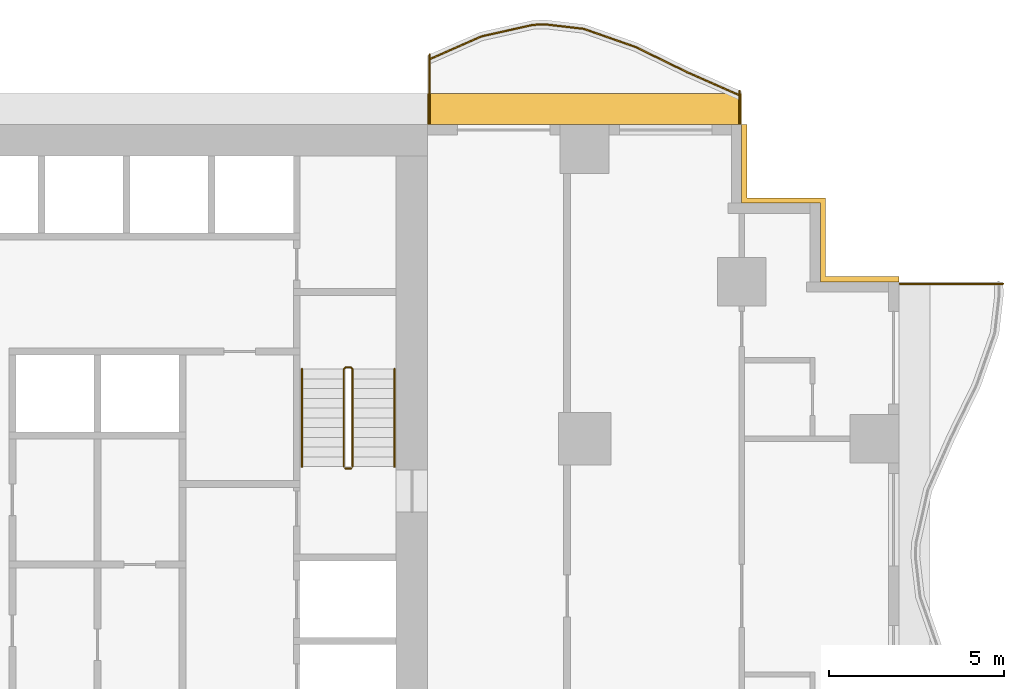
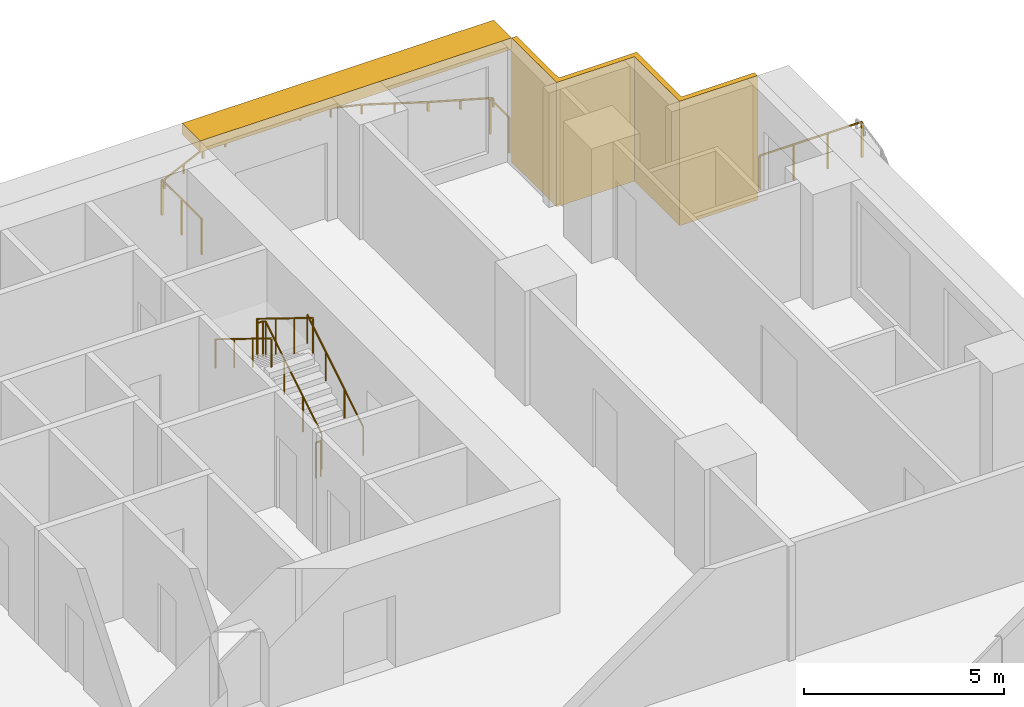
# One storey, part 14 of 14: 8 railings, 2 shading devices.
"""IFC4 building model written with IfcOpenShell, lengths in metres."""

from ifc_helpers import new_model, si_unit, direction, frame, origin, origin_2d, place, context, subcontext, project, spatial, polyline, rectangle, circle, outline, extrude, material, layer, layer_set, type_object, element, save


model = new_model("IFC4")

# Units and contexts
model_context = context("Model", 3, precision=1e-05, world=origin(), true_north=direction((0.0, 1.0)))
body_context = subcontext(model_context, "Body", "Model", "MODEL_VIEW")
ifc_project = project(units=[si_unit("LENGTHUNIT", "METRE"), si_unit("AREAUNIT", "SQUARE_METRE"), si_unit("VOLUMEUNIT", "CUBIC_METRE"), si_unit("PLANEANGLEUNIT", "RADIAN"), si_unit("MASSUNIT", "GRAM", prefix="KILO")], contexts=[model_context])

# Site, building, storey
site_placement = place(None, origin())
site = spatial("IfcSite", under=ifc_project, at=site_placement, CompositionType="ELEMENT")
building_placement = place(site_placement, origin())
building = spatial("IfcBuilding", under=site, at=building_placement, Name="Orbiselva Terraces", CompositionType="ELEMENT")
storey_placement = place(building_placement, frame((0.0, 0.0, 41.6)))
storey = spatial("IfcBuildingStorey", under=building, at=storey_placement, Name="L10", CompositionType="ELEMENT", Elevation=41.6)

# Railings
ifc_material_1 = material(Name="Stainless steel", Category="steel")
railing_type_1 = type_object("IfcRailingType", Name="CORE-GUARD-1100", PredefinedType="GUARDRAIL", material=ifc_material_1)
railing_1_placement = place(storey_placement, frame((11.35, 12.7, 0.172727)))
element("IfcRailing", 1, at=railing_1_placement, inside=storey, type_object=railing_type_1, Name="L10 S2 stair guard 1", PredefinedType="GUARDRAIL", context=body_context, shape_type="SweptSolid", body=[
    extrude(circle(Radius=0.024, at=origin_2d()), frame((0.0, 0.0, 1.081), z_axis=(0.0, 0.851088519012, 0.52502222125), x_axis=(-1.0, 0.0, 0.0)), (0.0, 0.0, 1.0), 3.289905),
    extrude(circle(Radius=0.024, at=origin_2d()), frame((0.0, 2.8, 2.808273), z_axis=(-0.707106781187, 0.707106781187, 0.0), x_axis=(-0.707106781187, -0.707106781187, 0.0)), (0.0, 0.0, 1.0), 0.070711),
    extrude(circle(Radius=0.024, at=origin_2d()), frame((-0.05, 2.85, 2.808273), z_axis=(-1.0, 0.0, 0.0), x_axis=(0.0, -1.0, 0.0)), (0.0, 0.0, 1.0), 0.15),
    extrude(circle(Radius=0.024, at=origin_2d()), frame((-0.2, 2.85, 2.808273), z_axis=(-0.267894925557, -0.267894925557, 0.925453736133), x_axis=(0.707106781187, -0.707106781187, 0.0)), (0.0, 0.0, 1.0), 0.18664),
    extrude(circle(Radius=0.024, at=origin_2d()), frame((-0.25, 2.8, 2.981), z_axis=(0.0, -0.851088519012, 0.52502222125), x_axis=(1.0, 0.0, 0.0)), (0.0, 0.0, 1.0), 3.289905),
    extrude(circle(Radius=0.021, at=origin_2d()), origin(), (0.0, 0.0, 1.0), 1.057),
    extrude(circle(Radius=0.021, at=origin_2d()), frame((0.0, 0.933333, 0.575758)), (0.0, 0.0, 1.0), 1.057),
    extrude(circle(Radius=0.021, at=origin_2d()), frame((0.0, 1.866667, 1.151515)), (0.0, 0.0, 1.0), 1.057),
    extrude(circle(Radius=0.021, at=origin_2d()), frame((0.0, 2.8, 1.727273)), (0.0, 0.0, 1.0), 1.057),
    extrude(circle(Radius=0.021, at=origin_2d()), frame((-0.05, 2.85, 1.727273)), (0.0, 0.0, 1.0), 1.057),
    extrude(circle(Radius=0.021, at=origin_2d()), frame((-0.2, 2.85, 1.727273)), (0.0, 0.0, 1.0), 1.057),
    extrude(circle(Radius=0.021, at=origin_2d()), frame((-0.25, 2.8, 1.9)), (0.0, 0.0, 1.0), 1.057),
    extrude(circle(Radius=0.021, at=origin_2d()), frame((-0.25, 1.866667, 2.475758)), (0.0, 0.0, 1.0), 1.057),
    extrude(circle(Radius=0.021, at=origin_2d()), frame((-0.25, 0.933333, 3.051515)), (0.0, 0.0, 1.0), 1.057),
    extrude(circle(Radius=0.021, at=origin_2d()), frame((-0.25, 0.0, 3.627273)), (0.0, 0.0, 1.0), 1.057),
])
railing_2_placement = place(storey_placement, frame((11.3, 12.65, 0.0)))
element("IfcRailing", 2, at=railing_2_placement, inside=storey, type_object=railing_type_1, Name="L10 S2 stair guard 2", PredefinedType="GUARDRAIL", context=body_context, shape_type="SweptSolid", body=[
    extrude(circle(Radius=0.024, at=origin_2d()), frame((0.0, 0.0, 1.081), z_axis=(-1.0, 0.0, 0.0), x_axis=(0.0, -1.0, 0.0)), (0.0, 0.0, 1.0), 0.15),
    extrude(circle(Radius=0.021, at=origin_2d()), origin(), (0.0, 0.0, 1.0), 1.057),
    extrude(circle(Radius=0.021, at=origin_2d()), frame((-0.15, 0.0, 0.0)), (0.0, 0.0, 1.0), 1.057),
])
railing_type_2 = type_object("IfcRailingType", Name="CORE-HANDRAIL-900", PredefinedType="HANDRAIL", material=ifc_material_1)
railing_3_placement = place(storey_placement, frame((12.55, 12.7, 0.172727)))
element("IfcRailing", 3, at=railing_3_placement, inside=storey, type_object=railing_type_2, Name="L10 S2 stair handrail 1", PredefinedType="HANDRAIL", context=body_context, shape_type="SweptSolid", body=[
    extrude(circle(Radius=0.024, at=origin_2d()), frame((0.0, 0.0, 0.876), z_axis=(0.0, 0.851088519012, 0.52502222125), x_axis=(-1.0, 0.0, 0.0)), (0.0, 0.0, 1.0), 3.289905),
    extrude(circle(Radius=0.021, at=origin_2d()), origin(), (0.0, 0.0, 1.0), 0.852),
    extrude(circle(Radius=0.021, at=origin_2d()), frame((0.0, 0.933333, 0.575758)), (0.0, 0.0, 1.0), 0.852),
    extrude(circle(Radius=0.021, at=origin_2d()), frame((0.0, 1.866667, 1.151515)), (0.0, 0.0, 1.0), 0.852),
    extrude(circle(Radius=0.021, at=origin_2d()), frame((0.0, 2.8, 1.727273)), (0.0, 0.0, 1.0), 0.852),
])
railing_4_placement = place(storey_placement, frame((9.9, 15.5, 2.072727)))
element("IfcRailing", 4, at=railing_4_placement, inside=storey, type_object=railing_type_2, Name="L10 S2 stair handrail 2", PredefinedType="HANDRAIL", context=body_context, shape_type="SweptSolid", body=[
    extrude(circle(Radius=0.024, at=origin_2d()), frame((0.0, 0.0, 0.876), z_axis=(0.0, -0.851088519012, 0.52502222125), x_axis=(1.0, 0.0, 0.0)), (0.0, 0.0, 1.0), 3.289905),
    extrude(circle(Radius=0.021, at=origin_2d()), origin(), (0.0, 0.0, 1.0), 0.852),
    extrude(circle(Radius=0.021, at=origin_2d()), frame((0.0, -0.933333, 0.575758)), (0.0, 0.0, 1.0), 0.852),
    extrude(circle(Radius=0.021, at=origin_2d()), frame((0.0, -1.866667, 1.151515)), (0.0, 0.0, 1.0), 0.852),
    extrude(circle(Radius=0.021, at=origin_2d()), frame((0.0, -2.8, 1.727273)), (0.0, 0.0, 1.0), 0.852),
])
ifc_material_2 = material(Name="Bonded two-ply safety glass balustrade, stainless steel posts", Category="steel")
railing_type_3 = type_object("IfcRailingType", Name="ENV-BALUSTRADE-1200", PredefinedType="BALUSTRADE", material=ifc_material_2)
railing_5_placement = place(storey_placement, frame((22.449606, 23.33708, 0.9)))
element("IfcRailing", 5, at=railing_5_placement, inside=storey, type_object=railing_type_3, Name="Balcony balustrade L10 NE", PredefinedType="BALUSTRADE", context=body_context, shape_type="SweptSolid", body=[
    extrude(outline(polyline([(0.028868, 0.0), (0.014434, 0.025), (-0.014434, 0.025), (-0.028868, 0.0), (-0.014434, -0.025), (0.014434, -0.025), (0.028868, 0.0)])), frame((0.0, 0.0, 0.275), z_axis=(-0.915133394491, 0.403151175476, 0.0), x_axis=(-0.403151175476, -0.915133394491, 0.0)), (0.0, 0.0, 1.0), 1.641563),
    extrude(outline(polyline([(0.028868, 0.0), (0.014434, 0.025), (-0.014434, 0.025), (-0.028868, 0.0), (-0.014434, -0.025), (0.014434, -0.025), (0.028868, 0.0)])), frame((-1.502249, 0.661798, 0.275), z_axis=(-0.89857890432, 0.438811978768, 0.0), x_axis=(-0.438811978768, -0.89857890432, 0.0)), (0.0, 0.0, 1.0), 1.66438),
    extrude(outline(polyline([(0.028868, 0.0), (0.014434, 0.025), (-0.014434, 0.025), (-0.028868, 0.0), (-0.014434, -0.025), (0.014434, -0.025), (0.028868, 0.0)])), frame((-2.997826, 1.392148, 0.275), z_axis=(-0.943972277814, 0.330024754707, 0.0), x_axis=(-0.330024754707, -0.943972277814, 0.0)), (0.0, 0.0, 1.0), 1.567807),
    extrude(outline(polyline([(0.028868, 0.0), (0.014434, 0.025), (-0.014434, 0.025), (-0.028868, 0.0), (-0.014434, -0.025), (0.014434, -0.025), (0.028868, 0.0)])), frame((-4.477792, 1.909563, 0.275), z_axis=(-0.993309658409, 0.115481264762, 0.0), x_axis=(-0.115481264762, -0.993309658409, 0.0)), (0.0, 0.0, 1.0), 1.10902),
    extrude(outline(polyline([(0.028868, 0.0), (0.014434, 0.025), (-0.014434, 0.025), (-0.028868, 0.0), (-0.014434, -0.025), (0.014434, -0.025), (0.028868, 0.0)])), frame((-5.579392, 2.037634, 0.275), z_axis=(-0.999224931454, -0.039364150694, 0.0), x_axis=(0.039364150694, -0.999224931454, 0.0)), (0.0, 0.0, 1.0), 0.354206),
    extrude(outline(polyline([(0.028868, 0.0), (0.014434, 0.025), (-0.014434, 0.025), (-0.028868, 0.0), (-0.014434, -0.025), (0.014434, -0.025), (0.028868, 0.0)])), frame((-5.933323, 2.023691, 0.275), z_axis=(-0.975721325753, -0.219015740235, 0.0), x_axis=(0.219015740235, -0.975721325753, 0.0)), (0.0, 0.0, 1.0), 1.513782),
    extrude(outline(polyline([(0.028868, 0.0), (0.014434, 0.025), (-0.014434, 0.025), (-0.028868, 0.0), (-0.014434, -0.025), (0.014434, -0.025), (0.028868, 0.0)])), frame((-7.410352, 1.692149, 0.275), z_axis=(-0.915133311645, -0.403151363532, 0.0), x_axis=(0.403151363532, -0.915133311645, 0.0)), (0.0, 0.0, 1.0), 1.626932),
    extrude(rectangle(XDim=0.05, YDim=0.05, at=origin_2d()), origin(), (0.0, 0.0, 1.0), 0.25),
    extrude(rectangle(XDim=0.05, YDim=0.05, at=origin_2d()), frame((-0.751124, 0.330899, 0.0)), (0.0, 0.0, 1.0), 0.25),
    extrude(rectangle(XDim=0.05, YDim=0.05, at=origin_2d()), frame((-1.502249, 0.661798, 0.0)), (0.0, 0.0, 1.0), 0.25),
    extrude(rectangle(XDim=0.05, YDim=0.05, at=origin_2d()), frame((-2.250037, 1.026973, 0.0)), (0.0, 0.0, 1.0), 0.25),
    extrude(rectangle(XDim=0.05, YDim=0.05, at=origin_2d()), frame((-2.997826, 1.392148, 0.0)), (0.0, 0.0, 1.0), 0.25),
    extrude(rectangle(XDim=0.05, YDim=0.05, at=origin_2d()), frame((-3.737809, 1.650855, 0.0)), (0.0, 0.0, 1.0), 0.25),
    extrude(rectangle(XDim=0.05, YDim=0.05, at=origin_2d()), frame((-4.477792, 1.909563, 0.0)), (0.0, 0.0, 1.0), 0.25),
    extrude(rectangle(XDim=0.05, YDim=0.05, at=origin_2d()), frame((-5.579392, 2.037634, 0.0)), (0.0, 0.0, 1.0), 0.25),
    extrude(rectangle(XDim=0.05, YDim=0.05, at=origin_2d()), frame((-5.933323, 2.023691, 0.0)), (0.0, 0.0, 1.0), 0.25),
    extrude(rectangle(XDim=0.05, YDim=0.05, at=origin_2d()), frame((-6.671837, 1.85792, 0.0)), (0.0, 0.0, 1.0), 0.25),
    extrude(rectangle(XDim=0.05, YDim=0.05, at=origin_2d()), frame((-7.410352, 1.692149, 0.0)), (0.0, 0.0, 1.0), 0.25),
    extrude(rectangle(XDim=0.05, YDim=0.05, at=origin_2d()), frame((-8.154782, 1.364199, 0.0)), (0.0, 0.0, 1.0), 0.25),
    extrude(rectangle(XDim=0.05, YDim=0.05, at=origin_2d()), frame((-8.899212, 1.036249, 0.0)), (0.0, 0.0, 1.0), 0.25),
])
ifc_material_3 = material(Name="Stainless steel rail and posts", Category="steel")
railing_type_4 = type_object("IfcRailingType", Name="ENV-GUARD-1105", PredefinedType="BALUSTRADE", material=ifc_material_3)
railing_6_placement = place(storey_placement, frame((29.989569, 17.94, 0.0)))
element("IfcRailing", 6, at=railing_6_placement, inside=storey, type_object=railing_type_4, Name="Balcony end guard L10 E", PredefinedType="BALUSTRADE", context=body_context, shape_type="SweptSolid", body=[
    extrude(outline(polyline([(0.028868, 0.0), (0.014434, 0.025), (-0.014434, 0.025), (-0.028868, 0.0), (-0.014434, -0.025), (0.014434, -0.025), (0.028868, 0.0)])), frame((0.0, 0.0, 1.08), z_axis=(-1.0, 0.0, 0.0), x_axis=(0.0, -1.0, 0.0)), (0.0, 0.0, 1.0), 2.964569),
    extrude(rectangle(XDim=0.05, YDim=0.05, at=origin_2d()), origin(), (0.0, 0.0, 1.0), 1.055),
    extrude(rectangle(XDim=0.05, YDim=0.05, at=origin_2d()), frame((-0.98819, 0.0, 0.0)), (0.0, 0.0, 1.0), 1.055),
    extrude(rectangle(XDim=0.05, YDim=0.05, at=origin_2d()), frame((-1.976379, 0.0, 0.0)), (0.0, 0.0, 1.0), 1.055),
    extrude(rectangle(XDim=0.05, YDim=0.05, at=origin_2d()), frame((-2.964569, 0.0, 0.0)), (0.0, 0.0, 1.0), 1.055),
])
railing_7_placement = place(storey_placement, frame((22.44, 23.473063, 0.0)))
element("IfcRailing", 7, at=railing_7_placement, inside=storey, type_object=railing_type_4, Name="Balcony end guard L10 NE", PredefinedType="BALUSTRADE", context=body_context, shape_type="SweptSolid", body=[
    extrude(outline(polyline([(0.028868, 0.0), (0.014434, 0.025), (-0.014434, 0.025), (-0.028868, 0.0), (-0.014434, -0.025), (0.014434, -0.025), (0.028868, 0.0)])), frame((0.0, 0.0, 1.08), z_axis=(0.0, -1.0, 0.0), x_axis=(1.0, 0.0, 0.0)), (0.0, 0.0, 1.0), 0.948063),
    extrude(rectangle(XDim=0.05, YDim=0.05, at=origin_2d()), origin(), (0.0, 0.0, 1.0), 1.055),
    extrude(rectangle(XDim=0.05, YDim=0.05, at=origin_2d()), frame((0.0, -0.948063, 0.0)), (0.0, 0.0, 1.0), 1.055),
])
railing_8_placement = place(storey_placement, frame((13.56, 24.517447, 0.0)))
element("IfcRailing", 8, at=railing_8_placement, inside=storey, type_object=railing_type_4, Name="Balcony end guard L10 NE", PredefinedType="BALUSTRADE", context=body_context, shape_type="SweptSolid", body=[
    extrude(outline(polyline([(0.028868, 0.0), (0.014434, 0.025), (-0.014434, 0.025), (-0.028868, 0.0), (-0.014434, -0.025), (0.014434, -0.025), (0.028868, 0.0)])), frame((0.0, 0.0, 1.08), z_axis=(0.0, -1.0, 0.0), x_axis=(1.0, 0.0, 0.0)), (0.0, 0.0, 1.0), 1.992447),
    extrude(rectangle(XDim=0.05, YDim=0.05, at=origin_2d()), origin(), (0.0, 0.0, 1.0), 1.055),
    extrude(rectangle(XDim=0.05, YDim=0.05, at=origin_2d()), frame((0.0, -0.996224, 0.0)), (0.0, 0.0, 1.0), 1.055),
    extrude(rectangle(XDim=0.05, YDim=0.05, at=origin_2d()), frame((0.0, -1.992447, 0.0)), (0.0, 0.0, 1.0), 1.055),
])

# Shading devices
ifc_material_4 = material(Name="Terracotta louvre screen", Category="masonry")
ifc_layer_1 = layer(ifc_material_4, 0.15)
ifc_layer_set_1 = layer_set([ifc_layer_1], Name="Terracotta louvre screen")
shading_device_type_1 = type_object("IfcShadingDeviceType", Name="ENV-SCREEN-150", PredefinedType="USERDEFINED", material=ifc_layer_set_1)
shading_device_1_placement = place(storey_placement, frame((0.0, 0.0, -0.3)))
element("IfcShadingDevice", 9, at=shading_device_1_placement, inside=storey, type_object=shading_device_type_1, Name="Louvre screen L10 NE", ObjectType="SCREEN", PredefinedType="USERDEFINED", context=body_context, shape_type="SweptSolid", body=[
    extrude(outline(polyline([(27.0, 18.15), (24.9, 18.15), (24.9, 20.4), (22.65, 20.4), (22.65, 22.5), (22.5, 22.5), (22.5, 20.25), (24.75, 20.25), (24.75, 18.0), (27.0, 18.0), (27.0, 18.15)])), origin(), (0.0, 0.0, 1.0), 3.8),
])
ifc_material_5 = material(Name="Terracotta baguette sunshade", Category="masonry")
ifc_layer_2 = layer(ifc_material_5, 0.35)
ifc_layer_set_2 = layer_set([ifc_layer_2], Name="Terracotta baguette sunshade")
shading_device_type_2 = type_object("IfcShadingDeviceType", Name="ENV-SUNSHADE-900x350", PredefinedType="USERDEFINED", material=ifc_layer_set_2)
shading_device_2_placement = place(storey_placement, frame((0.0, 0.0, 3.15)))
element("IfcShadingDevice", 10, at=shading_device_2_placement, inside=storey, type_object=shading_device_type_2, Name="Sunshade band L10 NE", ObjectType="SUNSHADE", PredefinedType="USERDEFINED", context=body_context, shape_type="SweptSolid", body=[
    extrude(outline(polyline([(22.5, 23.4), (13.5, 23.4), (13.5, 22.5), (22.5, 22.5), (22.5, 23.4)])), origin(), (0.0, 0.0, 1.0), 0.35),
])

save(model, "model.ifc")
